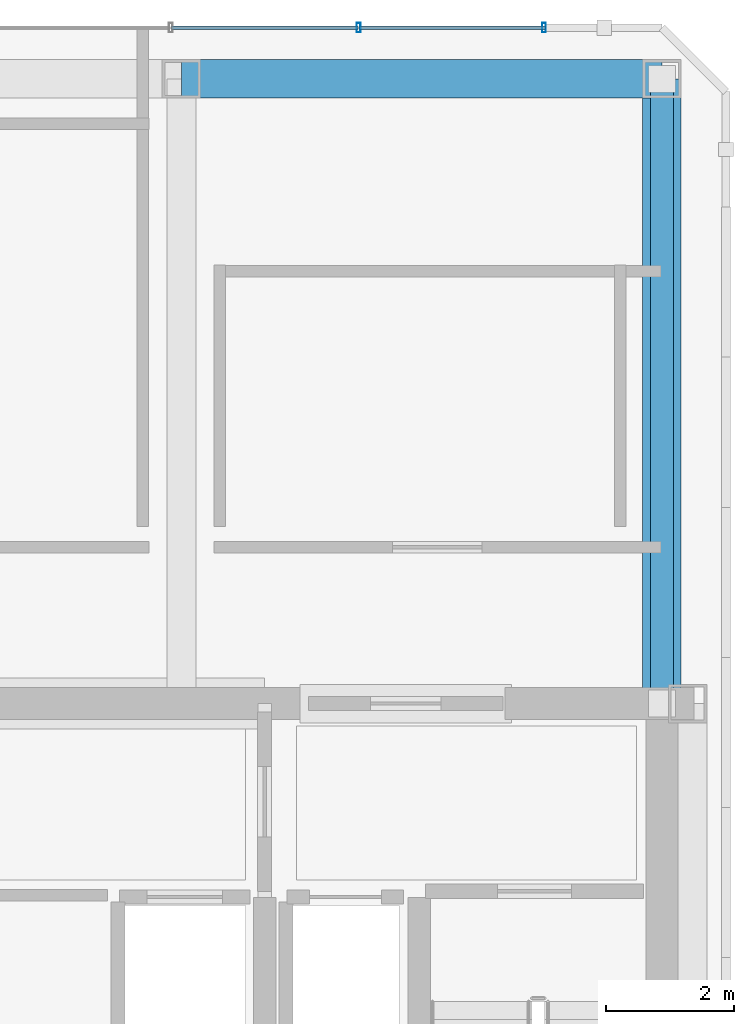
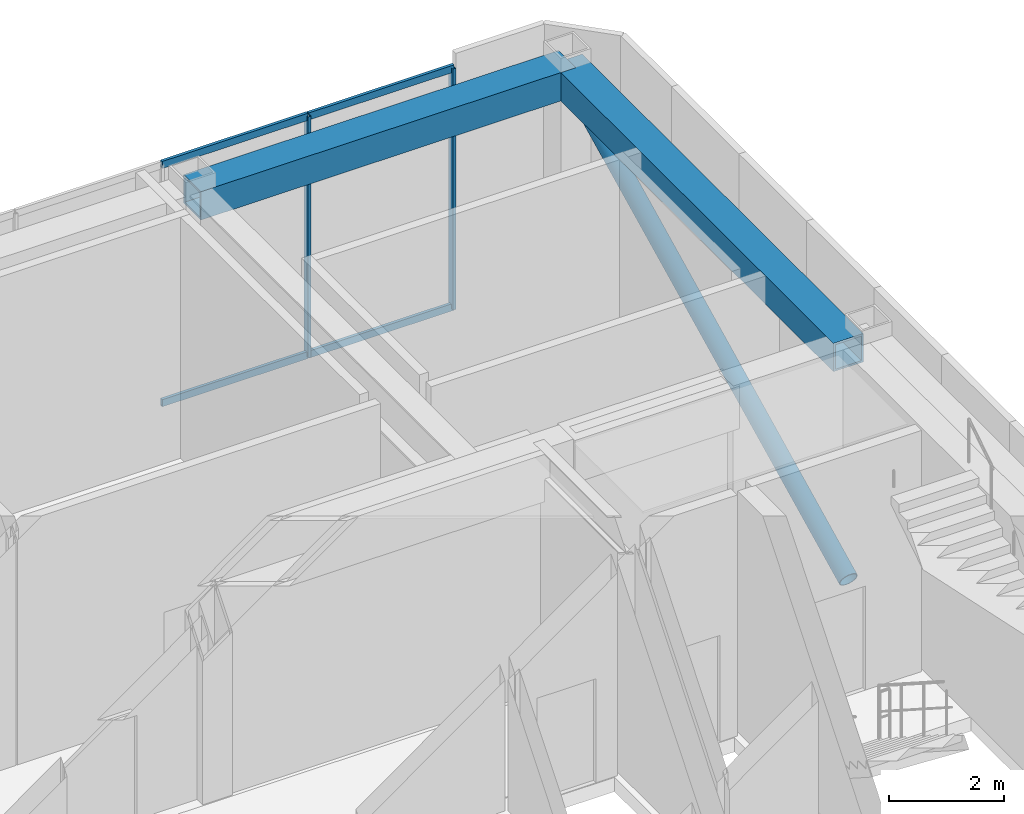
# One storey, part 6 of 10: 7 members, 2 beams, 1 element without a shape of its own.
"""IFC4 building model written with IfcOpenShell, lengths in metres."""

from ifc_helpers import new_model, si_unit, direction, frame, origin, origin_2d, place, context, subcontext, project, spatial, hollow_rectangle, hollow_circle, extrude, material, material_profile, profile_set, type_object, element, aggregate, save


model = new_model("IFC4")

# Units and contexts
model_context = context("Model", 3, precision=1e-05, world=origin(), true_north=direction((0.0, 1.0)))
body_context = subcontext(model_context, "Body", "Model", "MODEL_VIEW")
ifc_project = project(units=[si_unit("LENGTHUNIT", "METRE"), si_unit("AREAUNIT", "SQUARE_METRE"), si_unit("VOLUMEUNIT", "CUBIC_METRE"), si_unit("PLANEANGLEUNIT", "RADIAN"), si_unit("MASSUNIT", "GRAM", prefix="KILO")], contexts=[model_context])

# Site, building, storey
site_placement = place(None, origin())
site = spatial("IfcSite", under=ifc_project, at=site_placement, CompositionType="ELEMENT")
building_placement = place(site_placement, origin())
building = spatial("IfcBuilding", under=site, at=building_placement, Name="Ventersveld Concourse Tower", CompositionType="ELEMENT")
storey_placement = place(building_placement, frame((0.0, 0.0, 382.85009765625)))
storey = spatial("IfcBuildingStorey", under=building, at=storey_placement, Name="L93", CompositionType="ELEMENT", Elevation=382.85009765625)

# Member
ifc_material_1 = material(Name="Structural steel S355ML", Category="steel")
ifc_material_profile_1 = material_profile(ifc_material_1, hollow_circle(Radius=0.177734375, WallThickness=0.01611328125, at=origin_2d()), Name="CHS 355.6x16")
ifc_profile_set_1 = profile_set([ifc_material_profile_1], Name="Structural steel S355ML")
member_type_1 = type_object("IfcMemberType", Name="CF-BR-355", PredefinedType="BRACE", material=ifc_profile_set_1)
member_1_placement = place(storey_placement, frame((43.75, 11.449951171875, 0.0), z_axis=(0.0, 0.897177797739, 0.441669558883), x_axis=(-1.0, 0.0, 0.0)))
element("IfcMember", 1, at=member_1_placement, inside=storey, type_object=member_type_1, Name="L93 CROWN FRAME Wind Brace 4", PredefinedType="BRACE", context=body_context, shape_type="SweptSolid", body=[
    extrude(hollow_circle(Radius=0.177734375, WallThickness=0.01611328125, at=origin_2d()), origin(), (0.0, 0.0, 1.0), 10.867431640625),
])

# Curtain wall, members
ifc_material_2 = material(Name="Anodised aluminium EN AW-6063-T6", Category="aluminium")
curtain_wall_type = type_object("IfcCurtainWallType", Name="CW-CRN-6", PredefinedType="NOTDEFINED", material=ifc_material_2)
curtain_wall_placement = place(storey_placement, origin())
curtain_wall = element("IfcCurtainWall", 2, at=curtain_wall_placement, inside=storey, type_object=curtain_wall_type, Name="L93 L93 Crown North Glazed Curtain Wall", PredefinedType="NOTDEFINED")
ifc_material_profile_2 = material_profile(ifc_material_2, hollow_rectangle(XDim=0.06005859375, YDim=0.14990234375, WallThickness=0.00390625, at=origin_2d()), Name="ALU 150x60x4")
ifc_profile_set_2 = profile_set([ifc_material_profile_2], Name="Anodised aluminium EN AW-6063-T6")
member_type_2 = type_object("IfcMemberType", Name="CWM-150x65", PredefinedType="MULLION", material=ifc_profile_set_2)
member_2_placement = place(storey_placement, frame((41.909912109375, 22.0, 0.0), z_axis=(0.0, 0.0, 1.0), x_axis=(1.0, 0.0, 0.0)))
member_2 = element("IfcMember", 3, at=member_2_placement, type_object=member_type_2, Name="CW-L93-N Mullion 01", PredefinedType="MULLION", context=body_context, shape_type="SweptSolid", body=[
    extrude(hollow_rectangle(XDim=0.06005859375, YDim=0.14990234375, WallThickness=0.00390625, at=origin_2d()), origin(), (0.0, 0.0, 1.0), 5.099853515625),
])
member_3_placement = place(storey_placement, frame((39.0166015625, 22.0, 0.0), z_axis=(0.0, 0.0, 1.0), x_axis=(1.0, 0.0, 0.0)))
member_3 = element("IfcMember", 4, at=member_3_placement, type_object=member_type_2, Name="CW-L93-N Mullion 02", PredefinedType="MULLION", context=body_context, shape_type="SweptSolid", body=[
    extrude(hollow_rectangle(XDim=0.06005859375, YDim=0.14990234375, WallThickness=0.00390625, at=origin_2d()), origin(), (0.0, 0.0, 1.0), 5.099853515625),
])
ifc_material_profile_3 = material_profile(ifc_material_2, hollow_rectangle(XDim=0.06005859375, YDim=0.14990234375, WallThickness=0.00390625, at=origin_2d()), Name="ALU 150x60x4")
ifc_profile_set_3 = profile_set([ifc_material_profile_3], Name="Anodised aluminium EN AW-6063-T6")
member_type_3 = type_object("IfcMemberType", Name="CWT-150x60", PredefinedType="USERDEFINED", material=ifc_profile_set_3)
member_4_placement = place(storey_placement, frame((41.929931640625, 22.0, 0.02978515625), z_axis=(-1.0, 0.0, 0.0), x_axis=(0.0, -1.0, 0.0)))
member_4 = element("IfcMember", 5, at=member_4_placement, type_object=member_type_3, Name="CW-L93-N Transom 1-01", ObjectType="TRANSOM", PredefinedType="USERDEFINED", context=body_context, shape_type="SweptSolid", body=[
    extrude(hollow_rectangle(XDim=0.06005859375, YDim=0.14990234375, WallThickness=0.00390625, at=origin_2d()), origin(), (0.0, 0.0, 1.0), 2.9033203125),
])
member_5_placement = place(storey_placement, frame((39.006591796875, 22.0, 0.02978515625), z_axis=(-1.0, 0.0, 0.0), x_axis=(0.0, -1.0, 0.0)))
member_5 = element("IfcMember", 6, at=member_5_placement, type_object=member_type_3, Name="CW-L93-N Transom 1-02", ObjectType="TRANSOM", PredefinedType="USERDEFINED", context=body_context, shape_type="SweptSolid", body=[
    extrude(hollow_rectangle(XDim=0.06005859375, YDim=0.14990234375, WallThickness=0.00390625, at=origin_2d()), origin(), (0.0, 0.0, 1.0), 2.913330078125),
])
member_6_placement = place(storey_placement, frame((41.929931640625, 22.0, 5.06982421875), z_axis=(-1.0, 0.0, 0.0), x_axis=(0.0, -1.0, 0.0)))
member_6 = element("IfcMember", 7, at=member_6_placement, type_object=member_type_3, Name="CW-L93-N Transom 2-01", ObjectType="TRANSOM", PredefinedType="USERDEFINED", context=body_context, shape_type="SweptSolid", body=[
    extrude(hollow_rectangle(XDim=0.06005859375, YDim=0.14990234375, WallThickness=0.00390625, at=origin_2d()), origin(), (0.0, 0.0, 1.0), 2.9033203125),
])
member_7_placement = place(storey_placement, frame((39.006591796875, 22.0, 5.06982421875), z_axis=(-1.0, 0.0, 0.0), x_axis=(0.0, -1.0, 0.0)))
member_7 = element("IfcMember", 8, at=member_7_placement, type_object=member_type_3, Name="CW-L93-N Transom 2-02", ObjectType="TRANSOM", PredefinedType="USERDEFINED", context=body_context, shape_type="SweptSolid", body=[
    extrude(hollow_rectangle(XDim=0.06005859375, YDim=0.14990234375, WallThickness=0.00390625, at=origin_2d()), origin(), (0.0, 0.0, 1.0), 2.913330078125),
])
aggregate(curtain_wall, [member_2, member_3, member_4, member_5, member_6, member_7])

# Beams
ifc_material_profile_4 = material_profile(ifc_material_1, hollow_rectangle(XDim=0.60009765625, YDim=0.60009765625, WallThickness=0.0400390625, at=origin_2d()), Name="BOX 600x600x40")
ifc_profile_set_4 = profile_set([ifc_material_profile_4], Name="Structural steel S355ML")
beam_type = type_object("IfcBeamType", Name="SPD-BOX600", PredefinedType="SPANDREL", material=ifc_profile_set_4)
beam_1_placement = place(storey_placement, frame((43.75, 11.449951171875, 4.7998046875), z_axis=(0.0, 1.0, 0.0), x_axis=(-1.0, 0.0, 0.0)))
element("IfcBeam", 9, at=beam_1_placement, inside=storey, type_object=beam_type, Name="L93 CROWN FRAME Perimeter Ring Beam 3", PredefinedType="SPANDREL", context=body_context, shape_type="SweptSolid", body=[
    extrude(hollow_rectangle(XDim=0.60009765625, YDim=0.60009765625, WallThickness=0.0400390625, at=origin_2d()), origin(), (0.0, 0.0, 1.0), 9.75),
])
beam_2_placement = place(storey_placement, frame((43.75, 21.199951171875, 4.7998046875), z_axis=(-1.0, 0.0, 0.0), x_axis=(0.0, -1.0, 0.0)))
element("IfcBeam", 10, at=beam_2_placement, inside=storey, type_object=beam_type, Name="L93 CROWN FRAME Perimeter Ring Beam 4", PredefinedType="SPANDREL", context=body_context, shape_type="SweptSolid", body=[
    extrude(hollow_rectangle(XDim=0.60009765625, YDim=0.60009765625, WallThickness=0.0400390625, at=origin_2d()), origin(), (0.0, 0.0, 1.0), 7.5),
])

save(model, "model.ifc")
